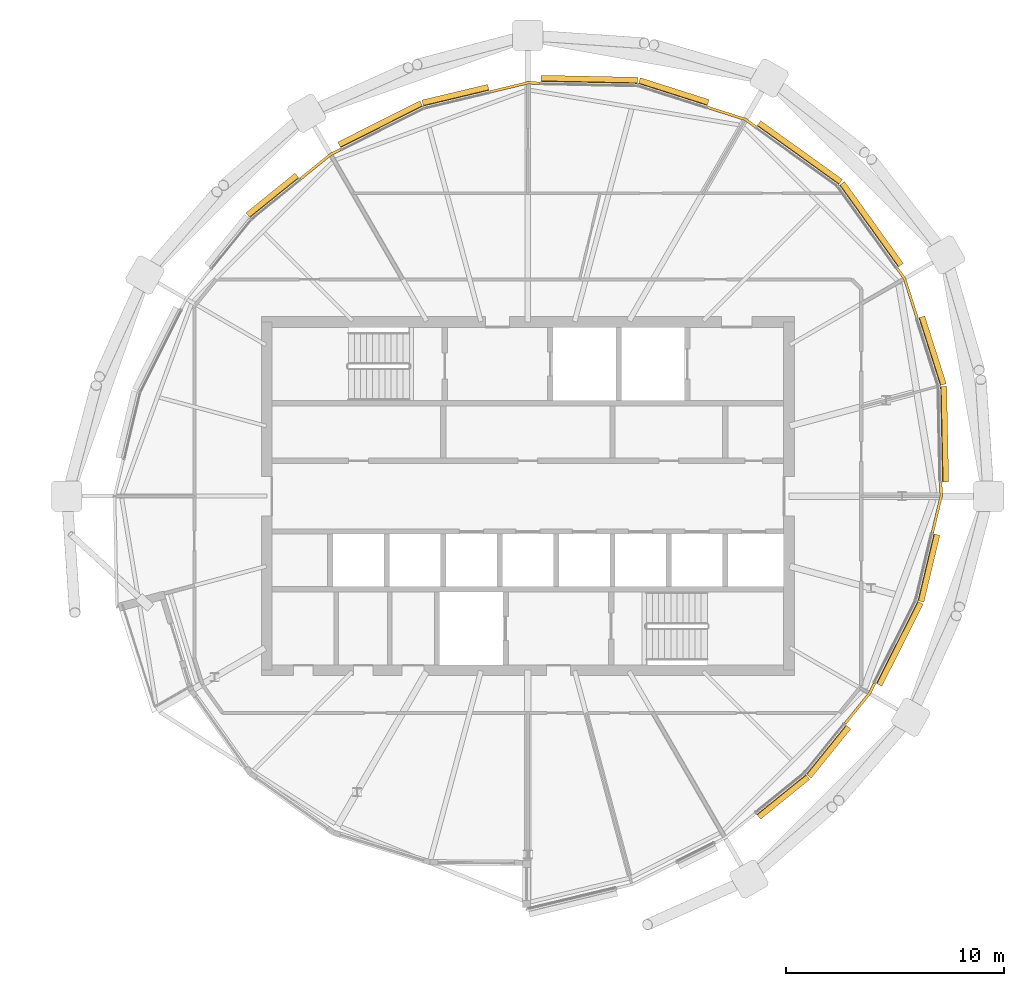
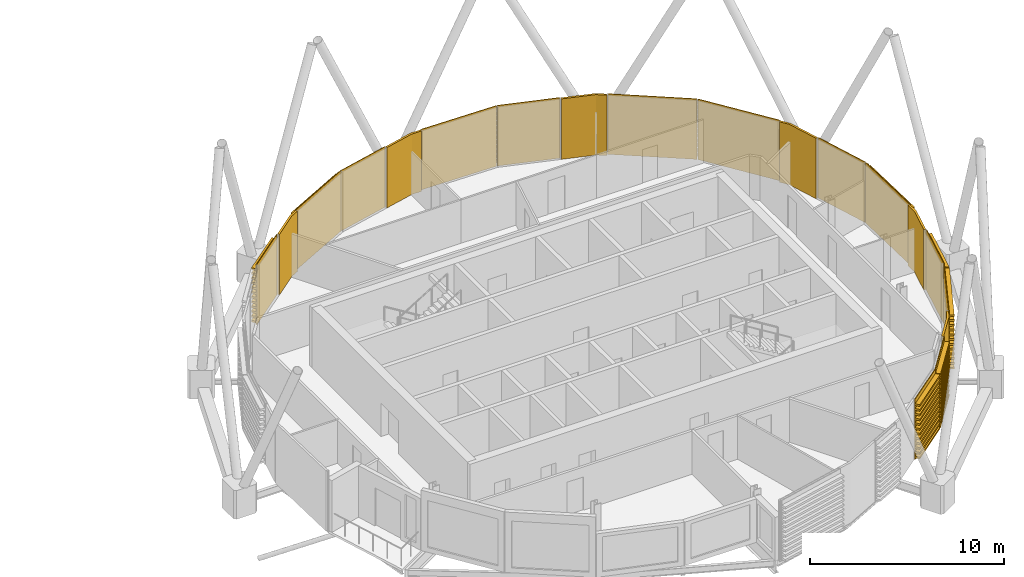
# One storey, part 31 of 31: 19 coverings.
"""IFC4 building model written with IfcOpenShell, lengths in metres."""

from ifc_helpers import new_model, si_unit, direction, frame, origin, place, context, subcontext, project, spatial, polyline, outline, extrude, material, layer, layer_set, material_profile, profile_set, type_object, element, save


model = new_model("IFC4")

# Units and contexts
model_context = context("Model", 3, precision=1e-05, world=origin(), true_north=direction((0.0, 1.0)))
body_context = subcontext(model_context, "Body", "Model", "MODEL_VIEW")
ifc_project = project(units=[si_unit("LENGTHUNIT", "METRE"), si_unit("AREAUNIT", "SQUARE_METRE"), si_unit("VOLUMEUNIT", "CUBIC_METRE"), si_unit("PLANEANGLEUNIT", "RADIAN"), si_unit("MASSUNIT", "GRAM", prefix="KILO")], contexts=[model_context])

# Site, building, storey
site_placement = place(None, origin())
site = spatial("IfcSite", under=ifc_project, at=site_placement, CompositionType="ELEMENT")
building_placement = place(site_placement, origin())
building = spatial("IfcBuilding", under=site, at=building_placement, Name="Rimbun Link Towers", CompositionType="ELEMENT")
storey_placement = place(building_placement, frame((0.0, 0.0, 244.699951171875)))
storey = spatial("IfcBuildingStorey", under=building, at=storey_placement, Name="L60", CompositionType="ELEMENT", Elevation=244.699951171875)

# Coverings
ifc_material_1 = material(Name="Terracotta", Category="masonry")
ifc_layer = layer(ifc_material_1, 0.1201171875)
ifc_layer_set = layer_set([ifc_layer], Name="LINK PIER terracotta cladding 120")
covering_type_1 = type_object("IfcCoveringType", Name="LINK PIER terracotta cladding 120", PredefinedType="CLADDING", material=ifc_layer_set)
covering_1_placement = place(storey_placement, origin())
element("IfcCovering", 1, at=covering_1_placement, inside=storey, type_object=covering_type_1, Name="LINK PIER cladding", PredefinedType="CLADDING", context=body_context, shape_type="SweptSolid", body=[
    extrude(outline(polyline([(39.98486328125, 17.81884765625), (41.71923828125, 17.267333984375), (42.182373046875, 16.93505859375), (42.25244140625, 17.032470703125), (41.773681640625, 17.3759765625), (40.021240234375, 17.933349609375), (39.98486328125, 17.81884765625)])), origin(), (0.0, 0.0, 1.0), 3.800048828125),
])
covering_2_placement = place(storey_placement, origin())
element("IfcCovering", 2, at=covering_2_placement, inside=storey, type_object=covering_type_1, Name="LINK PIER cladding", PredefinedType="CLADDING", context=body_context, shape_type="SweptSolid", body=[
    extrude(outline(polyline([(30.028564453125, 18.527587890625), (31.75, 18.939208984375), (32.31982421875, 18.92724609375), (32.322509765625, 19.047119140625), (31.737060546875, 19.0595703125), (30.000732421875, 18.644287109375), (30.028564453125, 18.527587890625)])), origin(), (0.0, 0.0, 1.0), 3.800048828125),
])
covering_3_placement = place(storey_placement, origin())
element("IfcCovering", 3, at=covering_3_placement, inside=storey, type_object=covering_type_1, Name="LINK PIER cladding", PredefinedType="CLADDING", context=body_context, shape_type="SweptSolid", body=[
    extrude(outline(polyline([(21.3359375, 14.541015625), (22.711669921875, 15.65478515625), (23.176513671875, 15.887939453125), (23.12255859375, 15.995361328125), (22.646240234375, 15.756103515625), (21.260498046875, 14.63427734375), (21.3359375, 14.541015625)])), origin(), (0.0, 0.0, 1.0), 3.800048828125),
])
covering_4_placement = place(storey_placement, origin())
element("IfcCovering", 4, at=covering_4_placement, inside=storey, type_object=covering_type_1, Name="LINK PIER cladding", PredefinedType="CLADDING", context=body_context, shape_type="SweptSolid", body=[
    extrude(outline(polyline([(47.637939453125, -8.573486328125), (47.40478515625, -9.038330078125), (46.291015625, -10.4140625), (46.38427734375, -10.489501953125), (47.506103515625, -9.103759765625), (47.745361328125, -8.62744140625), (47.637939453125, -8.573486328125)])), origin(), (0.0, 0.0, 1.0), 3.800048828125),
])
covering_5_placement = place(storey_placement, origin())
element("IfcCovering", 5, at=covering_5_placement, inside=storey, type_object=covering_type_1, Name="LINK PIER cladding", PredefinedType="CLADDING", context=body_context, shape_type="SweptSolid", body=[
    extrude(outline(polyline([(50.676025390625, 0.619873046875), (50.689208984375, 0.0), (50.2890625, -1.6728515625), (50.40576171875, -1.70068359375), (50.8095703125, -0.012939453125), (50.796142578125, 0.622314453125), (50.676025390625, 0.619873046875)])), origin(), (0.0, 0.0, 1.0), 3.800048828125),
])
covering_6_placement = place(storey_placement, origin())
element("IfcCovering", 6, at=covering_6_placement, inside=storey, type_object=covering_type_1, Name="LINK PIER cladding", PredefinedType="CLADDING", context=body_context, shape_type="SweptSolid", body=[
    extrude(outline(polyline([(48.68505859375, 10.432373046875), (49.017333984375, 9.96923828125), (49.583984375, 8.187255859375), (49.698486328125, 8.2236328125), (49.1259765625, 10.023681640625), (48.782470703125, 10.50244140625), (48.68505859375, 10.432373046875)])), origin(), (0.0, 0.0, 1.0), 3.800048828125),
])
ifc_material_2 = material(Name="Terracotta", Category="masonry")
ifc_material_profile = material_profile(ifc_material_2, outline(polyline([(0.123046875, 0.0), (0.1630859375, 0.0), (0.1630859375, 0.10009765625), (0.423095703125, 0.10009765625), (0.423095703125, 0.219970703125), (0.1630859375, 0.219970703125), (0.1630859375, 0.39990234375), (0.423095703125, 0.39990234375), (0.423095703125, 0.52001953125), (0.1630859375, 0.52001953125), (0.1630859375, 0.699951171875), (0.423095703125, 0.699951171875), (0.423095703125, 0.820068359375), (0.1630859375, 0.820068359375), (0.1630859375, 1.0), (0.423095703125, 1.0), (0.423095703125, 1.1201171875), (0.1630859375, 1.1201171875), (0.1630859375, 1.300048828125), (0.423095703125, 1.300048828125), (0.423095703125, 1.419921875), (0.1630859375, 1.419921875), (0.1630859375, 1.60009765625), (0.423095703125, 1.60009765625), (0.423095703125, 1.719970703125), (0.1630859375, 1.719970703125), (0.1630859375, 1.89990234375), (0.423095703125, 1.89990234375), (0.423095703125, 2.02001953125), (0.1630859375, 2.02001953125), (0.1630859375, 2.199951171875), (0.423095703125, 2.199951171875), (0.423095703125, 2.320068359375), (0.1630859375, 2.320068359375), (0.1630859375, 2.5), (0.423095703125, 2.5), (0.423095703125, 2.6201171875), (0.1630859375, 2.6201171875), (0.1630859375, 2.800048828125), (0.423095703125, 2.800048828125), (0.423095703125, 2.919921875), (0.1630859375, 2.919921875), (0.1630859375, 3.10009765625), (0.423095703125, 3.10009765625), (0.423095703125, 3.219970703125), (0.1630859375, 3.219970703125), (0.1630859375, 3.39990234375), (0.423095703125, 3.39990234375), (0.423095703125, 3.52001953125), (0.1630859375, 3.52001953125), (0.1630859375, 3.800048828125), (0.123046875, 3.800048828125), (0.123046875, 0.0)])), Name="BAGUETTE 120X300")
ifc_profile_set = profile_set([ifc_material_profile], Name="Terracotta")
covering_type_2 = type_object("IfcCoveringType", Name="TERRACOTTA BAGUETTE 120X300 H3800", PredefinedType="CLADDING", material=ifc_profile_set)
covering_7_placement = place(storey_placement, frame((42.206787109375, 16.91748046875, 0.0), z_axis=(0.812459513707, -0.583017614302, 0.0), x_axis=(0.583017614302, 0.812459513707, 0.0)))
element("IfcCovering", 7, at=covering_7_placement, inside=storey, type_object=covering_type_2, Name="TERRACOTTA BAGUETTE", PredefinedType="CLADDING", context=body_context, shape_type="SweptSolid", body=[
    extrude(outline(polyline([(0.123046875, 0.0), (0.1630859375, 0.0), (0.1630859375, 0.10009765625), (0.423095703125, 0.10009765625), (0.423095703125, 0.219970703125), (0.1630859375, 0.219970703125), (0.1630859375, 0.39990234375), (0.423095703125, 0.39990234375), (0.423095703125, 0.52001953125), (0.1630859375, 0.52001953125), (0.1630859375, 0.699951171875), (0.423095703125, 0.699951171875), (0.423095703125, 0.820068359375), (0.1630859375, 0.820068359375), (0.1630859375, 1.0), (0.423095703125, 1.0), (0.423095703125, 1.1201171875), (0.1630859375, 1.1201171875), (0.1630859375, 1.300048828125), (0.423095703125, 1.300048828125), (0.423095703125, 1.419921875), (0.1630859375, 1.419921875), (0.1630859375, 1.60009765625), (0.423095703125, 1.60009765625), (0.423095703125, 1.719970703125), (0.1630859375, 1.719970703125), (0.1630859375, 1.89990234375), (0.423095703125, 1.89990234375), (0.423095703125, 2.02001953125), (0.1630859375, 2.02001953125), (0.1630859375, 2.199951171875), (0.423095703125, 2.199951171875), (0.423095703125, 2.320068359375), (0.1630859375, 2.320068359375), (0.1630859375, 2.5), (0.423095703125, 2.5), (0.423095703125, 2.6201171875), (0.1630859375, 2.6201171875), (0.1630859375, 2.800048828125), (0.423095703125, 2.800048828125), (0.423095703125, 2.919921875), (0.1630859375, 2.919921875), (0.1630859375, 3.10009765625), (0.423095703125, 3.10009765625), (0.423095703125, 3.219970703125), (0.1630859375, 3.219970703125), (0.1630859375, 3.39990234375), (0.423095703125, 3.39990234375), (0.423095703125, 3.52001953125), (0.1630859375, 3.52001953125), (0.1630859375, 3.800048828125), (0.123046875, 3.800048828125), (0.123046875, 0.0)])), origin(), (0.0, 0.0, 1.0), 4.629638671875),
])
covering_8_placement = place(storey_placement, frame((36.79638671875, 18.8330078125, 0.0), z_axis=(0.952951884301, -0.303121603003, 0.0), x_axis=(0.303121603003, 0.952951884301, 0.0)))
element("IfcCovering", 8, at=covering_8_placement, inside=storey, type_object=covering_type_2, Name="TERRACOTTA BAGUETTE", PredefinedType="CLADDING", context=body_context, shape_type="SweptSolid", body=[
    extrude(outline(polyline([(0.123046875, 0.0), (0.1630859375, 0.0), (0.1630859375, 0.10009765625), (0.423095703125, 0.10009765625), (0.423095703125, 0.219970703125), (0.1630859375, 0.219970703125), (0.1630859375, 0.39990234375), (0.423095703125, 0.39990234375), (0.423095703125, 0.52001953125), (0.1630859375, 0.52001953125), (0.1630859375, 0.699951171875), (0.423095703125, 0.699951171875), (0.423095703125, 0.820068359375), (0.1630859375, 0.820068359375), (0.1630859375, 1.0), (0.423095703125, 1.0), (0.423095703125, 1.1201171875), (0.1630859375, 1.1201171875), (0.1630859375, 1.300048828125), (0.423095703125, 1.300048828125), (0.423095703125, 1.419921875), (0.1630859375, 1.419921875), (0.1630859375, 1.60009765625), (0.423095703125, 1.60009765625), (0.423095703125, 1.719970703125), (0.1630859375, 1.719970703125), (0.1630859375, 1.89990234375), (0.423095703125, 1.89990234375), (0.423095703125, 2.02001953125), (0.1630859375, 2.02001953125), (0.1630859375, 2.199951171875), (0.423095703125, 2.199951171875), (0.423095703125, 2.320068359375), (0.1630859375, 2.320068359375), (0.1630859375, 2.5), (0.423095703125, 2.5), (0.423095703125, 2.6201171875), (0.1630859375, 2.6201171875), (0.1630859375, 2.800048828125), (0.423095703125, 2.800048828125), (0.423095703125, 2.919921875), (0.1630859375, 2.919921875), (0.1630859375, 3.10009765625), (0.423095703125, 3.10009765625), (0.423095703125, 3.219970703125), (0.1630859375, 3.219970703125), (0.1630859375, 3.39990234375), (0.423095703125, 3.39990234375), (0.423095703125, 3.52001953125), (0.1630859375, 3.52001953125), (0.1630859375, 3.800048828125), (0.123046875, 3.800048828125), (0.123046875, 0.0)])), origin(), (0.0, 0.0, 1.0), 3.31591796875),
])
covering_9_placement = place(storey_placement, frame((32.349853515625, 18.926513671875, 0.0), z_axis=(0.999778965245, -0.02102428725, 0.0), x_axis=(0.02102428725, 0.999778965245, 0.0)))
element("IfcCovering", 9, at=covering_9_placement, inside=storey, type_object=covering_type_2, Name="TERRACOTTA BAGUETTE", PredefinedType="CLADDING", context=body_context, shape_type="SweptSolid", body=[
    extrude(outline(polyline([(0.123046875, 0.0), (0.1630859375, 0.0), (0.1630859375, 0.10009765625), (0.423095703125, 0.10009765625), (0.423095703125, 0.219970703125), (0.1630859375, 0.219970703125), (0.1630859375, 0.39990234375), (0.423095703125, 0.39990234375), (0.423095703125, 0.52001953125), (0.1630859375, 0.52001953125), (0.1630859375, 0.699951171875), (0.423095703125, 0.699951171875), (0.423095703125, 0.820068359375), (0.1630859375, 0.820068359375), (0.1630859375, 1.0), (0.423095703125, 1.0), (0.423095703125, 1.1201171875), (0.1630859375, 1.1201171875), (0.1630859375, 1.300048828125), (0.423095703125, 1.300048828125), (0.423095703125, 1.419921875), (0.1630859375, 1.419921875), (0.1630859375, 1.60009765625), (0.423095703125, 1.60009765625), (0.423095703125, 1.719970703125), (0.1630859375, 1.719970703125), (0.1630859375, 1.89990234375), (0.423095703125, 1.89990234375), (0.423095703125, 2.02001953125), (0.1630859375, 2.02001953125), (0.1630859375, 2.199951171875), (0.423095703125, 2.199951171875), (0.423095703125, 2.320068359375), (0.1630859375, 2.320068359375), (0.1630859375, 2.5), (0.423095703125, 2.5), (0.423095703125, 2.6201171875), (0.1630859375, 2.6201171875), (0.1630859375, 2.800048828125), (0.423095703125, 2.800048828125), (0.423095703125, 2.919921875), (0.1630859375, 2.919921875), (0.1630859375, 3.10009765625), (0.423095703125, 3.10009765625), (0.423095703125, 3.219970703125), (0.1630859375, 3.219970703125), (0.1630859375, 3.39990234375), (0.423095703125, 3.39990234375), (0.423095703125, 3.52001953125), (0.1630859375, 3.52001953125), (0.1630859375, 3.800048828125), (0.123046875, 3.800048828125), (0.123046875, 0.0)])), origin(), (0.0, 0.0, 1.0), 4.447509765625),
])
covering_10_placement = place(storey_placement, frame((26.98095703125, 17.798583984375, 0.0), z_axis=(0.972567672388, 0.232620125152, 0.0), x_axis=(-0.232620125152, 0.972567672388, 0.0)))
element("IfcCovering", 10, at=covering_10_placement, inside=storey, type_object=covering_type_2, Name="TERRACOTTA BAGUETTE", PredefinedType="CLADDING", context=body_context, shape_type="SweptSolid", body=[
    extrude(outline(polyline([(0.123046875, 0.0), (0.1630859375, 0.0), (0.1630859375, 0.10009765625), (0.423095703125, 0.10009765625), (0.423095703125, 0.219970703125), (0.1630859375, 0.219970703125), (0.1630859375, 0.39990234375), (0.423095703125, 0.39990234375), (0.423095703125, 0.52001953125), (0.1630859375, 0.52001953125), (0.1630859375, 0.699951171875), (0.423095703125, 0.699951171875), (0.423095703125, 0.820068359375), (0.1630859375, 0.820068359375), (0.1630859375, 1.0), (0.423095703125, 1.0), (0.423095703125, 1.1201171875), (0.1630859375, 1.1201171875), (0.1630859375, 1.300048828125), (0.423095703125, 1.300048828125), (0.423095703125, 1.419921875), (0.1630859375, 1.419921875), (0.1630859375, 1.60009765625), (0.423095703125, 1.60009765625), (0.423095703125, 1.719970703125), (0.1630859375, 1.719970703125), (0.1630859375, 1.89990234375), (0.423095703125, 1.89990234375), (0.423095703125, 2.02001953125), (0.1630859375, 2.02001953125), (0.1630859375, 2.199951171875), (0.423095703125, 2.199951171875), (0.423095703125, 2.320068359375), (0.1630859375, 2.320068359375), (0.1630859375, 2.5), (0.423095703125, 2.5), (0.423095703125, 2.6201171875), (0.1630859375, 2.6201171875), (0.1630859375, 2.800048828125), (0.423095703125, 2.800048828125), (0.423095703125, 2.919921875), (0.1630859375, 2.919921875), (0.1630859375, 3.10009765625), (0.423095703125, 3.10009765625), (0.423095703125, 3.219970703125), (0.1630859375, 3.219970703125), (0.1630859375, 3.39990234375), (0.423095703125, 3.39990234375), (0.423095703125, 3.52001953125), (0.1630859375, 3.52001953125), (0.1630859375, 3.800048828125), (0.123046875, 3.800048828125), (0.123046875, 0.0)])), origin(), (0.0, 0.0, 1.0), 3.103515625),
])
covering_11_placement = place(storey_placement, frame((23.203125, 15.901611328125, 0.0), z_axis=(0.89366355733, 0.448737614092, 0.0), x_axis=(-0.448737614092, 0.89366355733, 0.0)))
element("IfcCovering", 11, at=covering_11_placement, inside=storey, type_object=covering_type_2, Name="TERRACOTTA BAGUETTE", PredefinedType="CLADDING", context=body_context, shape_type="SweptSolid", body=[
    extrude(outline(polyline([(0.123046875, 0.0), (0.1630859375, 0.0), (0.1630859375, 0.10009765625), (0.423095703125, 0.10009765625), (0.423095703125, 0.219970703125), (0.1630859375, 0.219970703125), (0.1630859375, 0.39990234375), (0.423095703125, 0.39990234375), (0.423095703125, 0.52001953125), (0.1630859375, 0.52001953125), (0.1630859375, 0.699951171875), (0.423095703125, 0.699951171875), (0.423095703125, 0.820068359375), (0.1630859375, 0.820068359375), (0.1630859375, 1.0), (0.423095703125, 1.0), (0.423095703125, 1.1201171875), (0.1630859375, 1.1201171875), (0.1630859375, 1.300048828125), (0.423095703125, 1.300048828125), (0.423095703125, 1.419921875), (0.1630859375, 1.419921875), (0.1630859375, 1.60009765625), (0.423095703125, 1.60009765625), (0.423095703125, 1.719970703125), (0.1630859375, 1.719970703125), (0.1630859375, 1.89990234375), (0.423095703125, 1.89990234375), (0.423095703125, 2.02001953125), (0.1630859375, 2.02001953125), (0.1630859375, 2.199951171875), (0.423095703125, 2.199951171875), (0.423095703125, 2.320068359375), (0.1630859375, 2.320068359375), (0.1630859375, 2.5), (0.423095703125, 2.5), (0.423095703125, 2.6201171875), (0.1630859375, 2.6201171875), (0.1630859375, 2.800048828125), (0.423095703125, 2.800048828125), (0.423095703125, 2.919921875), (0.1630859375, 2.919921875), (0.1630859375, 3.10009765625), (0.423095703125, 3.10009765625), (0.423095703125, 3.219970703125), (0.1630859375, 3.219970703125), (0.1630859375, 3.39990234375), (0.423095703125, 3.39990234375), (0.423095703125, 3.52001953125), (0.1630859375, 3.52001953125), (0.1630859375, 3.800048828125), (0.123046875, 3.800048828125), (0.123046875, 0.0)])), origin(), (0.0, 0.0, 1.0), 4.227294921875),
])
for number, where, z_axis, x_axis, name in (
    (12, (19.05517578125, 12.69482421875, 0.0), (0.777238997836, 0.629205483323, 0.0), (-0.629205483323, 0.777238997836, 0.0), "TERRACOTTA BAGUETTE"),
    (13, (44.44482421875, -12.69482421875, 0.0), (-0.777238997836, -0.629205483323, 0.0), (0.629205483323, -0.777238997836, 0.0), "TERRACOTTA BAGUETTE"),
    (14, (46.272216796875, -10.4375, 0.0), (-0.629205483323, -0.777238997836, 0.0), (0.777238997836, -0.629205483323, 0.0), "TERRACOTTA BAGUETTE"),
):
    element("IfcCovering", number, at=place(storey_placement, frame(where, z_axis=z_axis, x_axis=x_axis)), inside=storey, type_object=covering_type_2, Name=name, PredefinedType="CLADDING", context=body_context, shape_type="SweptSolid", body=[
        extrude(outline(polyline([(0.123046875, 0.0), (0.1630859375, 0.0), (0.1630859375, 0.10009765625), (0.423095703125, 0.10009765625), (0.423095703125, 0.219970703125), (0.1630859375, 0.219970703125), (0.1630859375, 0.39990234375), (0.423095703125, 0.39990234375), (0.423095703125, 0.52001953125), (0.1630859375, 0.52001953125), (0.1630859375, 0.699951171875), (0.423095703125, 0.699951171875), (0.423095703125, 0.820068359375), (0.1630859375, 0.820068359375), (0.1630859375, 1.0), (0.423095703125, 1.0), (0.423095703125, 1.1201171875), (0.1630859375, 1.1201171875), (0.1630859375, 1.300048828125), (0.423095703125, 1.300048828125), (0.423095703125, 1.419921875), (0.1630859375, 1.419921875), (0.1630859375, 1.60009765625), (0.423095703125, 1.60009765625), (0.423095703125, 1.719970703125), (0.1630859375, 1.719970703125), (0.1630859375, 1.89990234375), (0.423095703125, 1.89990234375), (0.423095703125, 2.02001953125), (0.1630859375, 2.02001953125), (0.1630859375, 2.199951171875), (0.423095703125, 2.199951171875), (0.423095703125, 2.320068359375), (0.1630859375, 2.320068359375), (0.1630859375, 2.5), (0.423095703125, 2.5), (0.423095703125, 2.6201171875), (0.1630859375, 2.6201171875), (0.1630859375, 2.800048828125), (0.423095703125, 2.800048828125), (0.423095703125, 2.919921875), (0.1630859375, 2.919921875), (0.1630859375, 3.10009765625), (0.423095703125, 3.10009765625), (0.423095703125, 3.219970703125), (0.1630859375, 3.219970703125), (0.1630859375, 3.39990234375), (0.423095703125, 3.39990234375), (0.423095703125, 3.52001953125), (0.1630859375, 3.52001953125), (0.1630859375, 3.800048828125), (0.123046875, 3.800048828125), (0.123046875, 0.0)])), origin(), (0.0, 0.0, 1.0), 2.904296875),
    ])
covering_12_placement = place(storey_placement, frame((49.548583984375, -4.76904296875, 0.0), z_axis=(-0.448737614092, -0.89366355733, 0.0), x_axis=(0.89366355733, -0.448737614092, 0.0)))
element("IfcCovering", 15, at=covering_12_placement, inside=storey, type_object=covering_type_2, Name="TERRACOTTA BAGUETTE", PredefinedType="CLADDING", context=body_context, shape_type="SweptSolid", body=[
    extrude(outline(polyline([(0.123046875, 0.0), (0.1630859375, 0.0), (0.1630859375, 0.10009765625), (0.423095703125, 0.10009765625), (0.423095703125, 0.219970703125), (0.1630859375, 0.219970703125), (0.1630859375, 0.39990234375), (0.423095703125, 0.39990234375), (0.423095703125, 0.52001953125), (0.1630859375, 0.52001953125), (0.1630859375, 0.699951171875), (0.423095703125, 0.699951171875), (0.423095703125, 0.820068359375), (0.1630859375, 0.820068359375), (0.1630859375, 1.0), (0.423095703125, 1.0), (0.423095703125, 1.1201171875), (0.1630859375, 1.1201171875), (0.1630859375, 1.300048828125), (0.423095703125, 1.300048828125), (0.423095703125, 1.419921875), (0.1630859375, 1.419921875), (0.1630859375, 1.60009765625), (0.423095703125, 1.60009765625), (0.423095703125, 1.719970703125), (0.1630859375, 1.719970703125), (0.1630859375, 1.89990234375), (0.423095703125, 1.89990234375), (0.423095703125, 2.02001953125), (0.1630859375, 2.02001953125), (0.1630859375, 2.199951171875), (0.423095703125, 2.199951171875), (0.423095703125, 2.320068359375), (0.1630859375, 2.320068359375), (0.1630859375, 2.5), (0.423095703125, 2.5), (0.423095703125, 2.6201171875), (0.1630859375, 2.6201171875), (0.1630859375, 2.800048828125), (0.423095703125, 2.800048828125), (0.423095703125, 2.919921875), (0.1630859375, 2.919921875), (0.1630859375, 3.10009765625), (0.423095703125, 3.10009765625), (0.423095703125, 3.219970703125), (0.1630859375, 3.219970703125), (0.1630859375, 3.39990234375), (0.423095703125, 3.39990234375), (0.423095703125, 3.52001953125), (0.1630859375, 3.52001953125), (0.1630859375, 3.800048828125), (0.123046875, 3.800048828125), (0.123046875, 0.0)])), origin(), (0.0, 0.0, 1.0), 4.227294921875),
])
covering_13_placement = place(storey_placement, frame((50.2822265625, -1.701904296875, 0.0), z_axis=(-0.232632113265, -0.972564804976, 0.0), x_axis=(0.972564804976, -0.232632113265, 0.0)))
element("IfcCovering", 16, at=covering_13_placement, inside=storey, type_object=covering_type_2, Name="TERRACOTTA BAGUETTE", PredefinedType="CLADDING", context=body_context, shape_type="SweptSolid", body=[
    extrude(outline(polyline([(0.123046875, 0.0), (0.1630859375, 0.0), (0.1630859375, 0.10009765625), (0.423095703125, 0.10009765625), (0.423095703125, 0.219970703125), (0.1630859375, 0.219970703125), (0.1630859375, 0.39990234375), (0.423095703125, 0.39990234375), (0.423095703125, 0.52001953125), (0.1630859375, 0.52001953125), (0.1630859375, 0.699951171875), (0.423095703125, 0.699951171875), (0.423095703125, 0.820068359375), (0.1630859375, 0.820068359375), (0.1630859375, 1.0), (0.423095703125, 1.0), (0.423095703125, 1.1201171875), (0.1630859375, 1.1201171875), (0.1630859375, 1.300048828125), (0.423095703125, 1.300048828125), (0.423095703125, 1.419921875), (0.1630859375, 1.419921875), (0.1630859375, 1.60009765625), (0.423095703125, 1.60009765625), (0.423095703125, 1.719970703125), (0.1630859375, 1.719970703125), (0.1630859375, 1.89990234375), (0.423095703125, 1.89990234375), (0.423095703125, 2.02001953125), (0.1630859375, 2.02001953125), (0.1630859375, 2.199951171875), (0.423095703125, 2.199951171875), (0.423095703125, 2.320068359375), (0.1630859375, 2.320068359375), (0.1630859375, 2.5), (0.423095703125, 2.5), (0.423095703125, 2.6201171875), (0.1630859375, 2.6201171875), (0.1630859375, 2.800048828125), (0.423095703125, 2.800048828125), (0.423095703125, 2.919921875), (0.1630859375, 2.919921875), (0.1630859375, 3.10009765625), (0.423095703125, 3.10009765625), (0.423095703125, 3.219970703125), (0.1630859375, 3.219970703125), (0.1630859375, 3.39990234375), (0.423095703125, 3.39990234375), (0.423095703125, 3.52001953125), (0.1630859375, 3.52001953125), (0.1630859375, 3.800048828125), (0.123046875, 3.800048828125), (0.123046875, 0.0)])), origin(), (0.0, 0.0, 1.0), 3.153564453125),
])
covering_14_placement = place(storey_placement, frame((50.5830078125, 5.04638671875, 0.0), z_axis=(0.021041542106, -0.999778602244, 0.0), x_axis=(0.999778602244, 0.021041542106, 0.0)))
element("IfcCovering", 17, at=covering_14_placement, inside=storey, type_object=covering_type_2, Name="TERRACOTTA BAGUETTE", PredefinedType="CLADDING", context=body_context, shape_type="SweptSolid", body=[
    extrude(outline(polyline([(0.123046875, 0.0), (0.1630859375, 0.0), (0.1630859375, 0.10009765625), (0.423095703125, 0.10009765625), (0.423095703125, 0.219970703125), (0.1630859375, 0.219970703125), (0.1630859375, 0.39990234375), (0.423095703125, 0.39990234375), (0.423095703125, 0.52001953125), (0.1630859375, 0.52001953125), (0.1630859375, 0.699951171875), (0.423095703125, 0.699951171875), (0.423095703125, 0.820068359375), (0.1630859375, 0.820068359375), (0.1630859375, 1.0), (0.423095703125, 1.0), (0.423095703125, 1.1201171875), (0.1630859375, 1.1201171875), (0.1630859375, 1.300048828125), (0.423095703125, 1.300048828125), (0.423095703125, 1.419921875), (0.1630859375, 1.419921875), (0.1630859375, 1.60009765625), (0.423095703125, 1.60009765625), (0.423095703125, 1.719970703125), (0.1630859375, 1.719970703125), (0.1630859375, 1.89990234375), (0.423095703125, 1.89990234375), (0.423095703125, 2.02001953125), (0.1630859375, 2.02001953125), (0.1630859375, 2.199951171875), (0.423095703125, 2.199951171875), (0.423095703125, 2.320068359375), (0.1630859375, 2.320068359375), (0.1630859375, 2.5), (0.423095703125, 2.5), (0.423095703125, 2.6201171875), (0.1630859375, 2.6201171875), (0.1630859375, 2.800048828125), (0.423095703125, 2.800048828125), (0.423095703125, 2.919921875), (0.1630859375, 2.919921875), (0.1630859375, 3.10009765625), (0.423095703125, 3.10009765625), (0.423095703125, 3.219970703125), (0.1630859375, 3.219970703125), (0.1630859375, 3.39990234375), (0.423095703125, 3.39990234375), (0.423095703125, 3.52001953125), (0.1630859375, 3.52001953125), (0.1630859375, 3.800048828125), (0.123046875, 3.800048828125), (0.123046875, 0.0)])), origin(), (0.0, 0.0, 1.0), 4.3974609375),
])
covering_15_placement = place(storey_placement, frame((49.593017578125, 8.15869140625, 0.0), z_axis=(0.303123433466, -0.952951302053, 0.0), x_axis=(0.952951302053, 0.303123433466, 0.0)))
element("IfcCovering", 18, at=covering_15_placement, inside=storey, type_object=covering_type_2, Name="TERRACOTTA BAGUETTE", PredefinedType="CLADDING", context=body_context, shape_type="SweptSolid", body=[
    extrude(outline(polyline([(0.123046875, 0.0), (0.1630859375, 0.0), (0.1630859375, 0.10009765625), (0.423095703125, 0.10009765625), (0.423095703125, 0.219970703125), (0.1630859375, 0.219970703125), (0.1630859375, 0.39990234375), (0.423095703125, 0.39990234375), (0.423095703125, 0.52001953125), (0.1630859375, 0.52001953125), (0.1630859375, 0.699951171875), (0.423095703125, 0.699951171875), (0.423095703125, 0.820068359375), (0.1630859375, 0.820068359375), (0.1630859375, 1.0), (0.423095703125, 1.0), (0.423095703125, 1.1201171875), (0.1630859375, 1.1201171875), (0.1630859375, 1.300048828125), (0.423095703125, 1.300048828125), (0.423095703125, 1.419921875), (0.1630859375, 1.419921875), (0.1630859375, 1.60009765625), (0.423095703125, 1.60009765625), (0.423095703125, 1.719970703125), (0.1630859375, 1.719970703125), (0.1630859375, 1.89990234375), (0.423095703125, 1.89990234375), (0.423095703125, 2.02001953125), (0.1630859375, 2.02001953125), (0.1630859375, 2.199951171875), (0.423095703125, 2.199951171875), (0.423095703125, 2.320068359375), (0.1630859375, 2.320068359375), (0.1630859375, 2.5), (0.423095703125, 2.5), (0.423095703125, 2.6201171875), (0.1630859375, 2.6201171875), (0.1630859375, 2.800048828125), (0.423095703125, 2.800048828125), (0.423095703125, 2.919921875), (0.1630859375, 2.919921875), (0.1630859375, 3.10009765625), (0.423095703125, 3.10009765625), (0.423095703125, 3.219970703125), (0.1630859375, 3.219970703125), (0.1630859375, 3.39990234375), (0.423095703125, 3.39990234375), (0.423095703125, 3.52001953125), (0.1630859375, 3.52001953125), (0.1630859375, 3.800048828125), (0.123046875, 3.800048828125), (0.123046875, 0.0)])), origin(), (0.0, 0.0, 1.0), 3.265869140625),
])
covering_16_placement = place(storey_placement, frame((45.96826171875, 14.21826171875, 0.0), z_axis=(0.583017614302, -0.812459513707, 0.0), x_axis=(0.812459513707, 0.583017614302, 0.0)))
element("IfcCovering", 19, at=covering_16_placement, inside=storey, type_object=covering_type_2, Name="TERRACOTTA BAGUETTE", PredefinedType="CLADDING", context=body_context, shape_type="SweptSolid", body=[
    extrude(outline(polyline([(0.123046875, 0.0), (0.1630859375, 0.0), (0.1630859375, 0.10009765625), (0.423095703125, 0.10009765625), (0.423095703125, 0.219970703125), (0.1630859375, 0.219970703125), (0.1630859375, 0.39990234375), (0.423095703125, 0.39990234375), (0.423095703125, 0.52001953125), (0.1630859375, 0.52001953125), (0.1630859375, 0.699951171875), (0.423095703125, 0.699951171875), (0.423095703125, 0.820068359375), (0.1630859375, 0.820068359375), (0.1630859375, 1.0), (0.423095703125, 1.0), (0.423095703125, 1.1201171875), (0.1630859375, 1.1201171875), (0.1630859375, 1.300048828125), (0.423095703125, 1.300048828125), (0.423095703125, 1.419921875), (0.1630859375, 1.419921875), (0.1630859375, 1.60009765625), (0.423095703125, 1.60009765625), (0.423095703125, 1.719970703125), (0.1630859375, 1.719970703125), (0.1630859375, 1.89990234375), (0.423095703125, 1.89990234375), (0.423095703125, 2.02001953125), (0.1630859375, 2.02001953125), (0.1630859375, 2.199951171875), (0.423095703125, 2.199951171875), (0.423095703125, 2.320068359375), (0.1630859375, 2.320068359375), (0.1630859375, 2.5), (0.423095703125, 2.5), (0.423095703125, 2.6201171875), (0.1630859375, 2.6201171875), (0.1630859375, 2.800048828125), (0.423095703125, 2.800048828125), (0.423095703125, 2.919921875), (0.1630859375, 2.919921875), (0.1630859375, 3.10009765625), (0.423095703125, 3.10009765625), (0.423095703125, 3.219970703125), (0.1630859375, 3.219970703125), (0.1630859375, 3.39990234375), (0.423095703125, 3.39990234375), (0.423095703125, 3.52001953125), (0.1630859375, 3.52001953125), (0.1630859375, 3.800048828125), (0.123046875, 3.800048828125), (0.123046875, 0.0)])), origin(), (0.0, 0.0, 1.0), 4.629638671875),
])

save(model, "model.ifc")
